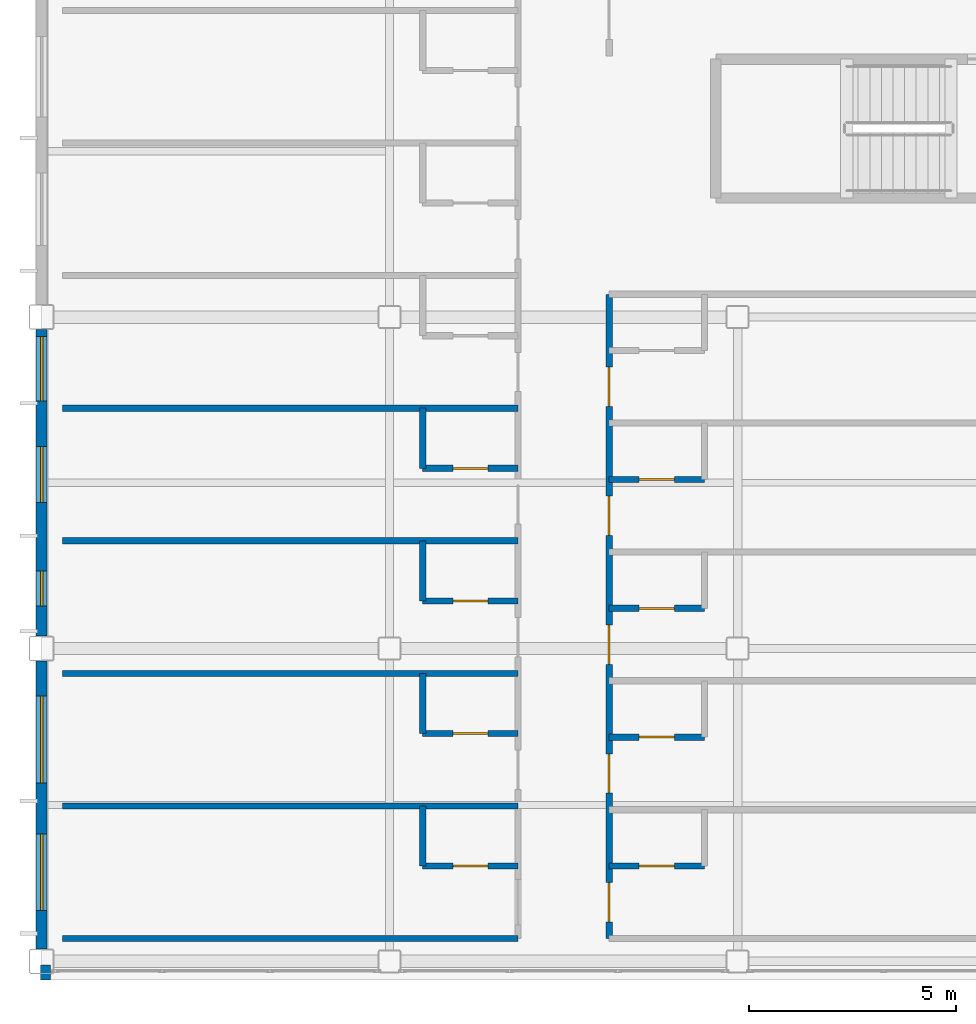
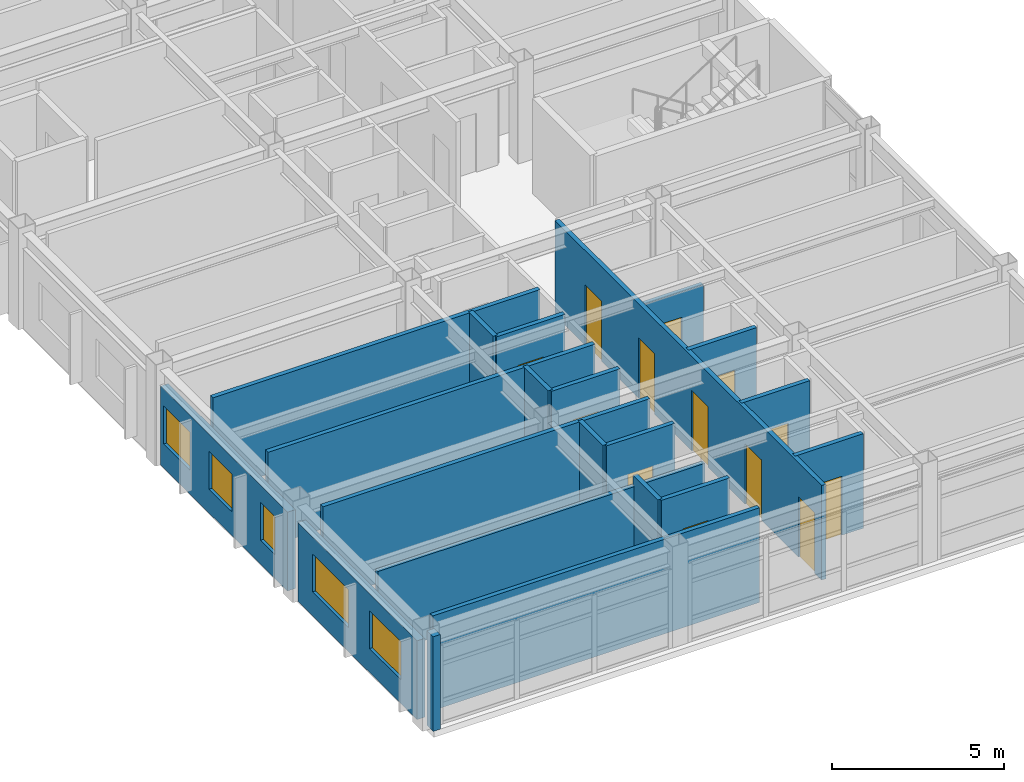
# One storey, part 23 of 38: 21 walls, 13 doors, 5 windows, 18 openings.
"""IFC4 building model written with IfcOpenShell, lengths in metres."""

from ifc_helpers import new_model, si_unit, direction, frame, frame_2d, origin, place, context, subcontext, project, spatial, rectangle, extrude, material, layer, layer_set, type_object, element, fill, save


model = new_model("IFC4")

# Units and contexts
model_context = context("Model", 3, precision=1e-05, world=origin(), true_north=direction((0.0, 1.0)))
body_context = subcontext(model_context, "Body", "Model", "MODEL_VIEW")
ifc_project = project(units=[si_unit("LENGTHUNIT", "METRE"), si_unit("AREAUNIT", "SQUARE_METRE"), si_unit("VOLUMEUNIT", "CUBIC_METRE"), si_unit("PLANEANGLEUNIT", "RADIAN"), si_unit("MASSUNIT", "GRAM", prefix="KILO")], contexts=[model_context])

# Site, building, storey
site_placement = place(None, origin())
site = spatial("IfcSite", under=ifc_project, at=site_placement, CompositionType="ELEMENT")
building_placement = place(site_placement, origin())
building = spatial("IfcBuilding", under=site, at=building_placement, Name="Kazehara Bluff Congress Hotel", CompositionType="ELEMENT")
storey_placement = place(building_placement, frame((0.0, 0.0, 24.60009765625)))
storey = spatial("IfcBuildingStorey", under=building, at=storey_placement, Name="L05", CompositionType="ELEMENT", Elevation=24.60009765625)

# Wall
ifc_material_1 = material(Name="Precast concrete C40/50", Category="concrete")
ifc_layer_1 = layer(ifc_material_1, 0.239990234375)
ifc_layer_set_1 = layer_set([ifc_layer_1], Name="Precast concrete C40/50")
wall_type_1 = type_object("IfcWallType", Name="TP-EW-240", PredefinedType="SOLIDWALL", material=ifc_layer_set_1)
wall_1_placement = place(storey_placement, frame((143.800048828125, 0.0, 0.0), z_axis=(0.0, 0.0, 1.0), x_axis=(0.0, 1.0, 0.0)))
element("IfcWall", 1, at=wall_1_placement, inside=storey, type_object=wall_type_1, Name="L05 V5 perimeter spandrel pier 736", PredefinedType="SOLIDWALL", context=body_context, shape_type="SweptSolid", body=[
    extrude(rectangle(XDim=0.360107421875, YDim=0.239990234375, at=frame_2d((0.18017578125, 0.0))), origin(), (0.0, 0.0, 1.0), 3.364990234375),
])

# Wall, openings, windows
ifc_material_2 = material(Name="Precast concrete C40/50", Category="concrete")
ifc_layer_2 = layer(ifc_material_2, 0.260009765625)
ifc_layer_set_2 = layer_set([ifc_layer_2], Name="Precast concrete C40/50")
wall_type_2 = type_object("IfcWallType", Name="TP-EW-260", PredefinedType="SOLIDWALL", material=ifc_layer_set_2)
wall_2_placement = place(storey_placement, frame((143.699951171875, 0.75, 0.0), z_axis=(0.0, 0.0, 1.0), x_axis=(0.0, 1.0, 0.0)))
wall_2 = element("IfcWall", 2, at=wall_2_placement, inside=storey, type_object=wall_type_2, Name="L05 hotel facade panel 54", PredefinedType="SOLIDWALL", context=body_context, shape_type="SweptSolid", body=[
    extrude(rectangle(XDim=6.949951171875, YDim=0.260009765625, at=frame_2d((3.47509765625, 0.0))), origin(), (0.0, 0.0, 1.0), 2.804931640625),
])
opening_1_placement = place(wall_2_placement, frame((0.925048828125, 0.0, 0.85009765625)))
opening_1 = element("IfcOpeningElement", 3, at=opening_1_placement, cuts=wall_2, Name="Opening WN-36", PredefinedType="OPENING", context=body_context, shape_type="SweptSolid", body=[
    extrude(rectangle(XDim=1.85009765625, YDim=1.35009765625, at=frame_2d((0.925048828125, 0.675048828125))), frame((0.0, 0.139892578125, 0.0), z_axis=(0.0, -1.0, 0.0), x_axis=(1.0, 0.0, 0.0)), (0.0, 0.0, 1.0), 0.280029296875),
])
opening_2_placement = place(wall_2_placement, frame((4.0, 0.0, 0.85009765625)))
opening_2 = element("IfcOpeningElement", 4, at=opening_2_placement, cuts=wall_2, Name="Opening WN-46", PredefinedType="OPENING", context=body_context, shape_type="SweptSolid", body=[
    extrude(rectangle(XDim=2.10009765625, YDim=1.35009765625, at=frame_2d((1.050048828125, 0.675048828125))), frame((0.0, 0.139892578125, 0.0), z_axis=(0.0, -1.0, 0.0), x_axis=(1.0, 0.0, 0.0)), (0.0, 0.0, 1.0), 0.280029296875),
])
ifc_material_3 = material(Name="Insulated low-E double glazing", Category="glass")
window_type_1 = type_object("IfcWindowType", Name="TP-WN-36", PartitioningType="DOUBLE_PANEL_VERTICAL", PredefinedType="WINDOW", material=ifc_material_3)
window_1_placement = place(opening_1_placement, origin())
window_1 = element("IfcWindow", 5, at=window_1_placement, inside=storey, type_object=window_type_1, Name="L05 guestroom window WN-36 94", OverallHeight=1.35009765625, OverallWidth=1.85009765625, PartitioningType="SINGLE_PANEL", PredefinedType="WINDOW", context=body_context, shape_type="SweptSolid", body=[
    extrude(rectangle(XDim=1.85009765625, YDim=1.35009765625, at=frame_2d((0.925048828125, 0.675048828125))), frame((0.0, 0.030029296875, 0.0), z_axis=(0.0, -1.0, 0.0), x_axis=(1.0, 0.0, 0.0)), (0.0, 0.0, 1.0), 0.06005859375),
])
fill(opening_1, window_1)
ifc_material_4 = material(Name="Insulated low-E double glazing", Category="glass")
window_type_2 = type_object("IfcWindowType", Name="TP-WN-46", PartitioningType="DOUBLE_PANEL_VERTICAL", PredefinedType="WINDOW", material=ifc_material_4)
window_2_placement = place(opening_2_placement, origin())
window_2 = element("IfcWindow", 6, at=window_2_placement, inside=storey, type_object=window_type_2, Name="L05 guestroom window WN-46 95", OverallHeight=1.35009765625, OverallWidth=2.10009765625, PartitioningType="SINGLE_PANEL", PredefinedType="WINDOW", context=body_context, shape_type="SweptSolid", body=[
    extrude(rectangle(XDim=2.10009765625, YDim=1.35009765625, at=frame_2d((1.050048828125, 0.675048828125))), frame((0.0, 0.030029296875, 0.0), z_axis=(0.0, -1.0, 0.0), x_axis=(1.0, 0.0, 0.0)), (0.0, 0.0, 1.0), 0.06005859375),
])
fill(opening_2, window_2)

wall_3_placement = place(storey_placement, frame((143.699951171875, 8.300048828125, 0.0), z_axis=(0.0, 0.0, 1.0), x_axis=(0.0, 1.0, 0.0)))
wall_3 = element("IfcWall", 7, at=wall_3_placement, inside=storey, type_object=wall_type_2, Name="L05 hotel facade panel 55", PredefinedType="SOLIDWALL", context=body_context, shape_type="SweptSolid", body=[
    extrude(rectangle(XDim=7.39990234375, YDim=0.260009765625, at=frame_2d((3.699951171875, 0.0))), origin(), (0.0, 0.0, 1.0), 2.804931640625),
])
opening_3_placement = place(wall_3_placement, frame((0.72509765625, 0.0, 0.85009765625)))
opening_3 = element("IfcOpeningElement", 8, at=opening_3_placement, cuts=wall_3, Name="Opening WN-55", PredefinedType="OPENING", context=body_context, shape_type="SweptSolid", body=[
    extrude(rectangle(XDim=0.85009765625, YDim=1.35009765625, at=frame_2d((0.425048828125, 0.675048828125))), frame((0.0, 0.139892578125, 0.0), z_axis=(0.0, -1.0, 0.0), x_axis=(1.0, 0.0, 0.0)), (0.0, 0.0, 1.0), 0.280029296875),
])
opening_4_placement = place(wall_3_placement, frame((3.22509765625, 0.0, 0.85009765625)))
opening_4 = element("IfcOpeningElement", 9, at=opening_4_placement, cuts=wall_3, Name="Opening WN-11", PredefinedType="OPENING", context=body_context, shape_type="SweptSolid", body=[
    extrude(rectangle(XDim=1.35009765625, YDim=1.35009765625, at=frame_2d((0.675048828125, 0.675048828125))), frame((0.0, 0.139892578125, 0.0), z_axis=(0.0, -1.0, 0.0), x_axis=(1.0, 0.0, 0.0)), (0.0, 0.0, 1.0), 0.280029296875),
])
opening_5_placement = place(wall_3_placement, frame((5.675048828125, 0.0, 0.85009765625)))
opening_5 = element("IfcOpeningElement", 10, at=opening_5_placement, cuts=wall_3, Name="Opening WN-21", PredefinedType="OPENING", context=body_context, shape_type="SweptSolid", body=[
    extrude(rectangle(XDim=1.550048828125, YDim=1.35009765625, at=frame_2d((0.77490234375, 0.675048828125))), frame((0.0, 0.139892578125, 0.0), z_axis=(0.0, -1.0, 0.0), x_axis=(1.0, 0.0, 0.0)), (0.0, 0.0, 1.0), 0.280029296875),
])
ifc_material_5 = material(Name="Insulated low-E double glazing", Category="glass")
window_type_3 = type_object("IfcWindowType", Name="TP-WN-11", PartitioningType="SINGLE_PANEL", PredefinedType="WINDOW", material=ifc_material_5)
window_3_placement = place(opening_4_placement, origin())
window_3 = element("IfcWindow", 11, at=window_3_placement, inside=storey, type_object=window_type_3, Name="L05 guestroom window WN-11 97", OverallHeight=1.35009765625, OverallWidth=1.35009765625, PartitioningType="SINGLE_PANEL", PredefinedType="WINDOW", context=body_context, shape_type="SweptSolid", body=[
    extrude(rectangle(XDim=1.35009765625, YDim=1.35009765625, at=frame_2d((0.675048828125, 0.675048828125))), frame((0.0, 0.030029296875, 0.0), z_axis=(0.0, -1.0, 0.0), x_axis=(1.0, 0.0, 0.0)), (0.0, 0.0, 1.0), 0.06005859375),
])
fill(opening_4, window_3)
ifc_material_6 = material(Name="Insulated low-E double glazing", Category="glass")
window_type_4 = type_object("IfcWindowType", Name="TP-WN-21", PartitioningType="SINGLE_PANEL", PredefinedType="WINDOW", material=ifc_material_6)
window_4_placement = place(opening_5_placement, origin())
window_4 = element("IfcWindow", 12, at=window_4_placement, inside=storey, type_object=window_type_4, Name="L05 guestroom window WN-21 98", OverallHeight=1.35009765625, OverallWidth=1.550048828125, PartitioningType="SINGLE_PANEL", PredefinedType="WINDOW", context=body_context, shape_type="SweptSolid", body=[
    extrude(rectangle(XDim=1.550048828125, YDim=1.35009765625, at=frame_2d((0.77490234375, 0.675048828125))), frame((0.0, 0.030029296875, 0.0), z_axis=(0.0, -1.0, 0.0), x_axis=(1.0, 0.0, 0.0)), (0.0, 0.0, 1.0), 0.06005859375),
])
fill(opening_5, window_4)
ifc_material_7 = material(Name="Insulated low-E double glazing", Category="glass")
window_type_5 = type_object("IfcWindowType", Name="TP-WN-55", PartitioningType="SINGLE_PANEL", PredefinedType="WINDOW", material=ifc_material_7)
window_5_placement = place(opening_3_placement, origin())
window_5 = element("IfcWindow", 13, at=window_5_placement, inside=storey, type_object=window_type_5, Name="L05 guestroom window WN-55 96", OverallHeight=1.35009765625, OverallWidth=0.85009765625, PartitioningType="SINGLE_PANEL", PredefinedType="WINDOW", context=body_context, shape_type="SweptSolid", body=[
    extrude(rectangle(XDim=0.85009765625, YDim=1.35009765625, at=frame_2d((0.425048828125, 0.675048828125))), frame((0.0, 0.030029296875, 0.0), z_axis=(0.0, -1.0, 0.0), x_axis=(1.0, 0.0, 0.0)), (0.0, 0.0, 1.0), 0.06005859375),
])
fill(opening_3, window_5)

# Wall
ifc_material_8 = material(Name="Fire-rated gypsum board stud partition")
ifc_layer_3 = layer(ifc_material_8, 0.14990234375)
ifc_layer_set_3 = layer_set([ifc_layer_3], Name="Fire-rated gypsum board stud partition")
wall_type_3 = type_object("IfcWallType", Name="TP-PT-150", PredefinedType="PARTITIONING", material=ifc_layer_set_3)
wall_4_placement = place(storey_placement, frame((144.199951171875, 1.0, 0.0), z_axis=(0.0, 0.0, 1.0), x_axis=(1.0, 0.0, 0.0)))
element("IfcWall", 14, at=wall_4_placement, inside=storey, type_object=wall_type_3, Name="L05 partition PT-150 505", PredefinedType="PARTITIONING", context=body_context, shape_type="SweptSolid", body=[
    extrude(rectangle(XDim=11.0, YDim=0.14990234375, at=frame_2d((5.5, 0.0))), origin(), (0.0, 0.0, 1.0), 3.364990234375),
])

# Wall, opening, door
wall_5_placement = place(storey_placement, frame((152.89990234375, 2.75, 0.0), z_axis=(0.0, 0.0, 1.0), x_axis=(1.0, 0.0, 0.0)))
wall_5 = element("IfcWall", 15, at=wall_5_placement, inside=storey, type_object=wall_type_3, Name="L05 partition PT-150 507", PredefinedType="PARTITIONING", context=body_context, shape_type="SweptSolid", body=[
    extrude(rectangle(XDim=2.300048828125, YDim=0.14990234375, at=frame_2d((1.14990234375, 0.0))), origin(), (0.0, 0.0, 1.0), 3.364990234375),
])
opening_6_placement = place(wall_5_placement, frame((0.72509765625, 0.0, 0.0)))
opening_6 = element("IfcOpeningElement", 16, at=opening_6_placement, cuts=wall_5, Name="Opening BD-01", PredefinedType="OPENING", context=body_context, shape_type="SweptSolid", body=[
    extrude(rectangle(XDim=0.85009765625, YDim=2.10009765625, at=frame_2d((0.425048828125, 1.050048828125))), frame((0.0, 0.0849609375, 0.0), z_axis=(0.0, -1.0, 0.0), x_axis=(1.0, 0.0, 0.0)), (0.0, 0.0, 1.0), 0.169921875),
])
ifc_material_9 = material(Name="Architectural oak veneer leaf")
door_type_1 = type_object("IfcDoorType", Name="TP-BD-01", OperationType="NOTDEFINED", PredefinedType="DOOR", material=ifc_material_9)
door_1_placement = place(opening_6_placement, origin())
door_1 = element("IfcDoor", 17, at=door_1_placement, inside=storey, type_object=door_type_1, Name="L05 En-suite Bathroom 67 door", OperationType="SINGLE_SWING_RIGHT", OverallHeight=2.10009765625, OverallWidth=0.85009765625, PredefinedType="DOOR", context=body_context, shape_type="SweptSolid", body=[
    extrude(rectangle(XDim=0.85009765625, YDim=2.10009765625, at=frame_2d((0.425048828125, 1.050048828125))), frame((0.0, 0.02490234375, 0.0), z_axis=(0.0, -1.0, 0.0), x_axis=(1.0, 0.0, 0.0)), (0.0, 0.0, 1.0), 0.050048828125),
])
fill(opening_6, door_1)

wall_6_placement = place(storey_placement, frame((157.39990234375, 2.75, 0.0), z_axis=(0.0, 0.0, 1.0), x_axis=(1.0, 0.0, 0.0)))
wall_6 = element("IfcWall", 18, at=wall_6_placement, inside=storey, type_object=wall_type_3, Name="L05 partition PT-150 508", PredefinedType="PARTITIONING", context=body_context, shape_type="SweptSolid", body=[
    extrude(rectangle(XDim=2.300048828125, YDim=0.14990234375, at=frame_2d((1.14990234375, 0.0))), origin(), (0.0, 0.0, 1.0), 3.364990234375),
])
opening_7_placement = place(wall_6_placement, frame((0.72509765625, 0.0, 0.0)))
opening_7 = element("IfcOpeningElement", 19, at=opening_7_placement, cuts=wall_6, Name="Opening BD-01", PredefinedType="OPENING", context=body_context, shape_type="SweptSolid", body=[
    extrude(rectangle(XDim=0.85009765625, YDim=2.10009765625, at=frame_2d((0.425048828125, 1.050048828125))), frame((0.0, 0.0849609375, 0.0), z_axis=(0.0, -1.0, 0.0), x_axis=(1.0, 0.0, 0.0)), (0.0, 0.0, 1.0), 0.169921875),
])
door_2_placement = place(opening_7_placement, origin())
door_2 = element("IfcDoor", 20, at=door_2_placement, inside=storey, type_object=door_type_1, Name="L05 En-suite Bathroom 92 door", OperationType="SINGLE_SWING_RIGHT", OverallHeight=2.10009765625, OverallWidth=0.85009765625, PredefinedType="DOOR", context=body_context, shape_type="SweptSolid", body=[
    extrude(rectangle(XDim=0.85009765625, YDim=2.10009765625, at=frame_2d((0.425048828125, 1.050048828125))), frame((0.0, 0.02490234375, 0.0), z_axis=(0.0, -1.0, 0.0), x_axis=(1.0, 0.0, 0.0)), (0.0, 0.0, 1.0), 0.050048828125),
])
fill(opening_7, door_2)

# Wall
wall_7_placement = place(storey_placement, frame((144.199951171875, 4.199951171875, 0.0), z_axis=(0.0, 0.0, 1.0), x_axis=(1.0, 0.0, 0.0)))
element("IfcWall", 21, at=wall_7_placement, inside=storey, type_object=wall_type_3, Name="L05 partition PT-150 510", PredefinedType="PARTITIONING", context=body_context, shape_type="SweptSolid", body=[
    extrude(rectangle(XDim=11.0, YDim=0.14990234375, at=frame_2d((5.5, 0.0))), origin(), (0.0, 0.0, 1.0), 3.0048828125),
])

# Wall, opening, door
wall_8_placement = place(storey_placement, frame((157.39990234375, 5.860107421875, 0.0), z_axis=(0.0, 0.0, 1.0), x_axis=(1.0, 0.0, 0.0)))
wall_8 = element("IfcWall", 22, at=wall_8_placement, inside=storey, type_object=wall_type_3, Name="L05 partition PT-150 511", PredefinedType="PARTITIONING", context=body_context, shape_type="SweptSolid", body=[
    extrude(rectangle(XDim=2.300048828125, YDim=0.14990234375, at=frame_2d((1.14990234375, 0.0))), origin(), (0.0, 0.0, 1.0), 3.364990234375),
])
opening_8_placement = place(wall_8_placement, frame((0.72509765625, 0.0, 0.0)))
opening_8 = element("IfcOpeningElement", 23, at=opening_8_placement, cuts=wall_8, Name="Opening BD-01", PredefinedType="OPENING", context=body_context, shape_type="SweptSolid", body=[
    extrude(rectangle(XDim=0.85009765625, YDim=2.10009765625, at=frame_2d((0.425048828125, 1.050048828125))), frame((0.0, 0.0849609375, 0.0), z_axis=(0.0, -1.0, 0.0), x_axis=(1.0, 0.0, 0.0)), (0.0, 0.0, 1.0), 0.169921875),
])
door_3_placement = place(opening_8_placement, origin())
door_3 = element("IfcDoor", 24, at=door_3_placement, inside=storey, type_object=door_type_1, Name="L05 En-suite Bathroom 93 door", OperationType="SINGLE_SWING_RIGHT", OverallHeight=2.10009765625, OverallWidth=0.85009765625, PredefinedType="DOOR", context=body_context, shape_type="SweptSolid", body=[
    extrude(rectangle(XDim=0.85009765625, YDim=2.10009765625, at=frame_2d((0.425048828125, 1.050048828125))), frame((0.0, 0.02490234375, 0.0), z_axis=(0.0, -1.0, 0.0), x_axis=(1.0, 0.0, 0.0)), (0.0, 0.0, 1.0), 0.050048828125),
])
fill(opening_8, door_3)

wall_9_placement = place(storey_placement, frame((152.89990234375, 5.949951171875, 0.0), z_axis=(0.0, 0.0, 1.0), x_axis=(1.0, 0.0, 0.0)))
wall_9 = element("IfcWall", 25, at=wall_9_placement, inside=storey, type_object=wall_type_3, Name="L05 partition PT-150 512", PredefinedType="PARTITIONING", context=body_context, shape_type="SweptSolid", body=[
    extrude(rectangle(XDim=2.300048828125, YDim=0.14990234375, at=frame_2d((1.14990234375, 0.0))), origin(), (0.0, 0.0, 1.0), 3.364990234375),
])
opening_9_placement = place(wall_9_placement, frame((0.72509765625, 0.0, 0.0)))
opening_9 = element("IfcOpeningElement", 26, at=opening_9_placement, cuts=wall_9, Name="Opening BD-01", PredefinedType="OPENING", context=body_context, shape_type="SweptSolid", body=[
    extrude(rectangle(XDim=0.85009765625, YDim=2.10009765625, at=frame_2d((0.425048828125, 1.050048828125))), frame((0.0, 0.0849609375, 0.0), z_axis=(0.0, -1.0, 0.0), x_axis=(1.0, 0.0, 0.0)), (0.0, 0.0, 1.0), 0.169921875),
])
door_4_placement = place(opening_9_placement, origin())
door_4 = element("IfcDoor", 27, at=door_4_placement, inside=storey, type_object=door_type_1, Name="L05 En-suite Bathroom 68 door", OperationType="SINGLE_SWING_RIGHT", OverallHeight=2.10009765625, OverallWidth=0.85009765625, PredefinedType="DOOR", context=body_context, shape_type="SweptSolid", body=[
    extrude(rectangle(XDim=0.85009765625, YDim=2.10009765625, at=frame_2d((0.425048828125, 1.050048828125))), frame((0.0, 0.02490234375, 0.0), z_axis=(0.0, -1.0, 0.0), x_axis=(1.0, 0.0, 0.0)), (0.0, 0.0, 1.0), 0.050048828125),
])
fill(opening_9, door_4)

# Wall
wall_10_placement = place(storey_placement, frame((144.199951171875, 7.39990234375, 0.0), z_axis=(0.0, 0.0, 1.0), x_axis=(1.0, 0.0, 0.0)))
element("IfcWall", 28, at=wall_10_placement, inside=storey, type_object=wall_type_3, Name="L05 partition PT-150 514", PredefinedType="PARTITIONING", context=body_context, shape_type="SweptSolid", body=[
    extrude(rectangle(XDim=11.0, YDim=0.14990234375, at=frame_2d((5.5, 0.0))), origin(), (0.0, 0.0, 1.0), 3.364990234375),
])

# Wall, opening, door
wall_11_placement = place(storey_placement, frame((157.39990234375, 8.969970703125, 0.0), z_axis=(0.0, 0.0, 1.0), x_axis=(1.0, 0.0, 0.0)))
wall_11 = element("IfcWall", 29, at=wall_11_placement, inside=storey, type_object=wall_type_3, Name="L05 partition PT-150 515", PredefinedType="PARTITIONING", context=body_context, shape_type="SweptSolid", body=[
    extrude(rectangle(XDim=2.300048828125, YDim=0.14990234375, at=frame_2d((1.14990234375, 0.0))), origin(), (0.0, 0.0, 1.0), 3.364990234375),
])
opening_10_placement = place(wall_11_placement, frame((0.72509765625, 0.0, 0.0)))
opening_10 = element("IfcOpeningElement", 30, at=opening_10_placement, cuts=wall_11, Name="Opening BD-01", PredefinedType="OPENING", context=body_context, shape_type="SweptSolid", body=[
    extrude(rectangle(XDim=0.85009765625, YDim=2.10009765625, at=frame_2d((0.425048828125, 1.050048828125))), frame((0.0, 0.0849609375, 0.0), z_axis=(0.0, -1.0, 0.0), x_axis=(1.0, 0.0, 0.0)), (0.0, 0.0, 1.0), 0.169921875),
])
door_5_placement = place(opening_10_placement, origin())
door_5 = element("IfcDoor", 31, at=door_5_placement, inside=storey, type_object=door_type_1, Name="L05 En-suite Bathroom 94 door", OperationType="SINGLE_SWING_RIGHT", OverallHeight=2.10009765625, OverallWidth=0.85009765625, PredefinedType="DOOR", context=body_context, shape_type="SweptSolid", body=[
    extrude(rectangle(XDim=0.85009765625, YDim=2.10009765625, at=frame_2d((0.425048828125, 1.050048828125))), frame((0.0, 0.02490234375, 0.0), z_axis=(0.0, -1.0, 0.0), x_axis=(1.0, 0.0, 0.0)), (0.0, 0.0, 1.0), 0.050048828125),
])
fill(opening_10, door_5)

wall_12_placement = place(storey_placement, frame((152.89990234375, 9.14990234375, 0.0), z_axis=(0.0, 0.0, 1.0), x_axis=(1.0, 0.0, 0.0)))
wall_12 = element("IfcWall", 32, at=wall_12_placement, inside=storey, type_object=wall_type_3, Name="L05 partition PT-150 516", PredefinedType="PARTITIONING", context=body_context, shape_type="SweptSolid", body=[
    extrude(rectangle(XDim=2.300048828125, YDim=0.14990234375, at=frame_2d((1.14990234375, 0.0))), origin(), (0.0, 0.0, 1.0), 3.364990234375),
])
opening_11_placement = place(wall_12_placement, frame((0.72509765625, 0.0, 0.0)))
opening_11 = element("IfcOpeningElement", 33, at=opening_11_placement, cuts=wall_12, Name="Opening BD-01", PredefinedType="OPENING", context=body_context, shape_type="SweptSolid", body=[
    extrude(rectangle(XDim=0.85009765625, YDim=2.10009765625, at=frame_2d((0.425048828125, 1.050048828125))), frame((0.0, 0.0849609375, 0.0), z_axis=(0.0, -1.0, 0.0), x_axis=(1.0, 0.0, 0.0)), (0.0, 0.0, 1.0), 0.169921875),
])
door_6_placement = place(opening_11_placement, origin())
door_6 = element("IfcDoor", 34, at=door_6_placement, inside=storey, type_object=door_type_1, Name="L05 En-suite Bathroom 69 door", OperationType="SINGLE_SWING_RIGHT", OverallHeight=2.10009765625, OverallWidth=0.85009765625, PredefinedType="DOOR", context=body_context, shape_type="SweptSolid", body=[
    extrude(rectangle(XDim=0.85009765625, YDim=2.10009765625, at=frame_2d((0.425048828125, 1.050048828125))), frame((0.0, 0.02490234375, 0.0), z_axis=(0.0, -1.0, 0.0), x_axis=(1.0, 0.0, 0.0)), (0.0, 0.0, 1.0), 0.050048828125),
])
fill(opening_11, door_6)

# Wall
wall_13_placement = place(storey_placement, frame((144.199951171875, 10.60009765625, 0.0), z_axis=(0.0, 0.0, 1.0), x_axis=(1.0, 0.0, 0.0)))
element("IfcWall", 35, at=wall_13_placement, inside=storey, type_object=wall_type_3, Name="L05 partition PT-150 518", PredefinedType="PARTITIONING", context=body_context, shape_type="SweptSolid", body=[
    extrude(rectangle(XDim=11.0, YDim=0.14990234375, at=frame_2d((5.5, 0.0))), origin(), (0.0, 0.0, 1.0), 3.364990234375),
])

# Wall, opening, door
wall_14_placement = place(storey_placement, frame((157.39990234375, 12.080078125, 0.0), z_axis=(0.0, 0.0, 1.0), x_axis=(1.0, 0.0, 0.0)))
wall_14 = element("IfcWall", 36, at=wall_14_placement, inside=storey, type_object=wall_type_3, Name="L05 partition PT-150 519", PredefinedType="PARTITIONING", context=body_context, shape_type="SweptSolid", body=[
    extrude(rectangle(XDim=2.300048828125, YDim=0.14990234375, at=frame_2d((1.14990234375, 0.0))), origin(), (0.0, 0.0, 1.0), 3.0048828125),
])
opening_12_placement = place(wall_14_placement, frame((0.72509765625, 0.0, 0.0)))
opening_12 = element("IfcOpeningElement", 37, at=opening_12_placement, cuts=wall_14, Name="Opening BD-01", PredefinedType="OPENING", context=body_context, shape_type="SweptSolid", body=[
    extrude(rectangle(XDim=0.85009765625, YDim=2.10009765625, at=frame_2d((0.425048828125, 1.050048828125))), frame((0.0, 0.0849609375, 0.0), z_axis=(0.0, -1.0, 0.0), x_axis=(1.0, 0.0, 0.0)), (0.0, 0.0, 1.0), 0.169921875),
])
door_7_placement = place(opening_12_placement, origin())
door_7 = element("IfcDoor", 38, at=door_7_placement, inside=storey, type_object=door_type_1, Name="L05 En-suite Bathroom 95 door", OperationType="SINGLE_SWING_RIGHT", OverallHeight=2.10009765625, OverallWidth=0.85009765625, PredefinedType="DOOR", context=body_context, shape_type="SweptSolid", body=[
    extrude(rectangle(XDim=0.85009765625, YDim=2.10009765625, at=frame_2d((0.425048828125, 1.050048828125))), frame((0.0, 0.02490234375, 0.0), z_axis=(0.0, -1.0, 0.0), x_axis=(1.0, 0.0, 0.0)), (0.0, 0.0, 1.0), 0.050048828125),
])
fill(opening_12, door_7)

wall_15_placement = place(storey_placement, frame((152.89990234375, 12.35009765625, 0.0), z_axis=(0.0, 0.0, 1.0), x_axis=(1.0, 0.0, 0.0)))
wall_15 = element("IfcWall", 39, at=wall_15_placement, inside=storey, type_object=wall_type_3, Name="L05 partition PT-150 520", PredefinedType="PARTITIONING", context=body_context, shape_type="SweptSolid", body=[
    extrude(rectangle(XDim=2.300048828125, YDim=0.14990234375, at=frame_2d((1.14990234375, 0.0))), origin(), (0.0, 0.0, 1.0), 3.364990234375),
])
opening_13_placement = place(wall_15_placement, frame((0.72509765625, 0.0, 0.0)))
opening_13 = element("IfcOpeningElement", 40, at=opening_13_placement, cuts=wall_15, Name="Opening BD-01", PredefinedType="OPENING", context=body_context, shape_type="SweptSolid", body=[
    extrude(rectangle(XDim=0.85009765625, YDim=2.10009765625, at=frame_2d((0.425048828125, 1.050048828125))), frame((0.0, 0.0849609375, 0.0), z_axis=(0.0, -1.0, 0.0), x_axis=(1.0, 0.0, 0.0)), (0.0, 0.0, 1.0), 0.169921875),
])
door_8_placement = place(opening_13_placement, origin())
door_8 = element("IfcDoor", 41, at=door_8_placement, inside=storey, type_object=door_type_1, Name="L05 En-suite Bathroom 70 door", OperationType="SINGLE_SWING_RIGHT", OverallHeight=2.10009765625, OverallWidth=0.85009765625, PredefinedType="DOOR", context=body_context, shape_type="SweptSolid", body=[
    extrude(rectangle(XDim=0.85009765625, YDim=2.10009765625, at=frame_2d((0.425048828125, 1.050048828125))), frame((0.0, 0.02490234375, 0.0), z_axis=(0.0, -1.0, 0.0), x_axis=(1.0, 0.0, 0.0)), (0.0, 0.0, 1.0), 0.050048828125),
])
fill(opening_13, door_8)

# Walls
wall_16_placement = place(storey_placement, frame((144.199951171875, 13.800048828125, 0.0), z_axis=(0.0, 0.0, 1.0), x_axis=(1.0, 0.0, 0.0)))
element("IfcWall", 42, at=wall_16_placement, inside=storey, type_object=wall_type_3, Name="L05 partition PT-150 522", PredefinedType="PARTITIONING", context=body_context, shape_type="SweptSolid", body=[
    extrude(rectangle(XDim=11.0, YDim=0.14990234375, at=frame_2d((5.5, 0.0))), origin(), (0.0, 0.0, 1.0), 3.364990234375),
])
for number, where, z_axis, x_axis, name in (
    (43, (152.89990234375, 2.75, 0.0), (0.0, 0.0, 1.0), (0.0, 1.0, 0.0), "L05 partition PT-150 625"),
    (44, (152.89990234375, 5.949951171875, 0.0), (0.0, 0.0, 1.0), (0.0, 1.0, 0.0), "L05 partition PT-150 626"),
):
    element("IfcWall", number, at=place(storey_placement, frame(where, z_axis=z_axis, x_axis=x_axis)), inside=storey, type_object=wall_type_3, Name=name, PredefinedType="PARTITIONING", context=body_context, shape_type="SweptSolid", body=[
        extrude(rectangle(XDim=1.449951171875, YDim=0.14990234375, at=frame_2d((0.72509765625, 0.0))), origin(), (0.0, 0.0, 1.0), 3.364990234375),
    ])
wall_17_placement = place(storey_placement, frame((152.89990234375, 9.14990234375, 0.0), z_axis=(0.0, 0.0, 1.0), x_axis=(0.0, 1.0, 0.0)))
element("IfcWall", 45, at=wall_17_placement, inside=storey, type_object=wall_type_3, Name="L05 partition PT-150 627", PredefinedType="PARTITIONING", context=body_context, shape_type="SweptSolid", body=[
    extrude(rectangle(XDim=1.4501953125, YDim=0.14990234375, at=frame_2d((0.72509765625, 0.0))), origin(), (0.0, 0.0, 1.0), 3.364990234375),
])
wall_18_placement = place(storey_placement, frame((152.89990234375, 12.35009765625, 0.0), z_axis=(0.0, 0.0, 1.0), x_axis=(0.0, 1.0, 0.0)))
element("IfcWall", 46, at=wall_18_placement, inside=storey, type_object=wall_type_3, Name="L05 partition PT-150 628", PredefinedType="PARTITIONING", context=body_context, shape_type="SweptSolid", body=[
    extrude(rectangle(XDim=1.449951171875, YDim=0.14990234375, at=frame_2d((0.72509765625, 0.0))), origin(), (0.0, 0.0, 1.0), 3.364990234375),
])

# Wall, openings, doors
wall_19_placement = place(storey_placement, frame((157.39990234375, 1.0, 0.0), z_axis=(0.0, 0.0, 1.0), x_axis=(0.0, 1.0, 0.0)))
wall_19 = element("IfcWall", 47, at=wall_19_placement, inside=storey, type_object=wall_type_3, Name="L05 partition PT-150 657", PredefinedType="PARTITIONING", context=body_context, shape_type="SweptSolid", body=[
    extrude(rectangle(XDim=15.550048828125, YDim=0.14990234375, at=frame_2d((7.77490234375, 0.0))), origin(), (0.0, 0.0, 1.0), 3.364990234375),
])
opening_14_placement = place(wall_19_placement, frame((0.39990234375, 0.0, 0.0)))
opening_14 = element("IfcOpeningElement", 48, at=opening_14_placement, cuts=wall_19, Name="Opening GD-01", PredefinedType="OPENING", context=body_context, shape_type="SweptSolid", body=[
    extrude(rectangle(XDim=0.949951171875, YDim=2.14990234375, at=frame_2d((0.47509765625, 1.074951171875))), frame((0.0, 0.0849609375, 0.0), z_axis=(0.0, -1.0, 0.0), x_axis=(1.0, 0.0, 0.0)), (0.0, 0.0, 1.0), 0.169921875),
])
opening_15_placement = place(wall_19_placement, frame((3.510009765625, 0.0, 0.0)))
opening_15 = element("IfcOpeningElement", 49, at=opening_15_placement, cuts=wall_19, Name="Opening GD-01", PredefinedType="OPENING", context=body_context, shape_type="SweptSolid", body=[
    extrude(rectangle(XDim=0.949951171875, YDim=2.14990234375, at=frame_2d((0.47509765625, 1.074951171875))), frame((0.0, 0.0849609375, 0.0), z_axis=(0.0, -1.0, 0.0), x_axis=(1.0, 0.0, 0.0)), (0.0, 0.0, 1.0), 0.169921875),
])
opening_16_placement = place(wall_19_placement, frame((6.6201171875, 0.0, 0.0)))
opening_16 = element("IfcOpeningElement", 50, at=opening_16_placement, cuts=wall_19, Name="Opening GD-01", PredefinedType="OPENING", context=body_context, shape_type="SweptSolid", body=[
    extrude(rectangle(XDim=0.949951171875, YDim=2.14990234375, at=frame_2d((0.47509765625, 1.074951171875))), frame((0.0, 0.0849609375, 0.0), z_axis=(0.0, -1.0, 0.0), x_axis=(1.0, 0.0, 0.0)), (0.0, 0.0, 1.0), 0.169921875),
])
opening_17_placement = place(wall_19_placement, frame((9.72998046875, 0.0, 0.0)))
opening_17 = element("IfcOpeningElement", 51, at=opening_17_placement, cuts=wall_19, Name="Opening GD-01", PredefinedType="OPENING", context=body_context, shape_type="SweptSolid", body=[
    extrude(rectangle(XDim=0.949951171875, YDim=2.14990234375, at=frame_2d((0.47509765625, 1.074951171875))), frame((0.0, 0.0849609375, 0.0), z_axis=(0.0, -1.0, 0.0), x_axis=(1.0, 0.0, 0.0)), (0.0, 0.0, 1.0), 0.169921875),
])
opening_18_placement = place(wall_19_placement, frame((12.840087890625, 0.0, 0.0)))
opening_18 = element("IfcOpeningElement", 52, at=opening_18_placement, cuts=wall_19, Name="Opening GD-01", PredefinedType="OPENING", context=body_context, shape_type="SweptSolid", body=[
    extrude(rectangle(XDim=0.949951171875, YDim=2.14990234375, at=frame_2d((0.47509765625, 1.074951171875))), frame((0.0, 0.0849609375, 0.0), z_axis=(0.0, -1.0, 0.0), x_axis=(1.0, 0.0, 0.0)), (0.0, 0.0, 1.0), 0.169921875),
])
ifc_material_10 = material(Name="Architectural oak veneer leaf")
door_type_2 = type_object("IfcDoorType", Name="TP-GD-01", OperationType="NOTDEFINED", PredefinedType="DOOR", material=ifc_material_10)
door_9_placement = place(opening_14_placement, origin())
door_9 = element("IfcDoor", 53, at=door_9_placement, inside=storey, type_object=door_type_2, Name="L05 Deluxe Twin Guest Room 92 door", OperationType="SINGLE_SWING_LEFT", OverallHeight=2.14990234375, OverallWidth=0.949951171875, PredefinedType="DOOR", context=body_context, shape_type="SweptSolid", body=[
    extrude(rectangle(XDim=0.949951171875, YDim=2.14990234375, at=frame_2d((0.47509765625, 1.074951171875))), frame((0.0, 0.02490234375, 0.0), z_axis=(0.0, -1.0, 0.0), x_axis=(1.0, 0.0, 0.0)), (0.0, 0.0, 1.0), 0.050048828125),
])
fill(opening_14, door_9)
door_10_placement = place(opening_15_placement, origin())
door_10 = element("IfcDoor", 54, at=door_10_placement, inside=storey, type_object=door_type_2, Name="L05 Standard King Guest Room 93 door", OperationType="SINGLE_SWING_LEFT", OverallHeight=2.14990234375, OverallWidth=0.949951171875, PredefinedType="DOOR", context=body_context, shape_type="SweptSolid", body=[
    extrude(rectangle(XDim=0.949951171875, YDim=2.14990234375, at=frame_2d((0.47509765625, 1.074951171875))), frame((0.0, 0.02490234375, 0.0), z_axis=(0.0, -1.0, 0.0), x_axis=(1.0, 0.0, 0.0)), (0.0, 0.0, 1.0), 0.050048828125),
])
fill(opening_15, door_10)
door_11_placement = place(opening_16_placement, origin())
door_11 = element("IfcDoor", 55, at=door_11_placement, inside=storey, type_object=door_type_2, Name="L05 Deluxe Twin Guest Room 94 door", OperationType="SINGLE_SWING_LEFT", OverallHeight=2.14990234375, OverallWidth=0.949951171875, PredefinedType="DOOR", context=body_context, shape_type="SweptSolid", body=[
    extrude(rectangle(XDim=0.949951171875, YDim=2.14990234375, at=frame_2d((0.47509765625, 1.074951171875))), frame((0.0, 0.02490234375, 0.0), z_axis=(0.0, -1.0, 0.0), x_axis=(1.0, 0.0, 0.0)), (0.0, 0.0, 1.0), 0.050048828125),
])
fill(opening_16, door_11)
door_12_placement = place(opening_17_placement, origin())
door_12 = element("IfcDoor", 56, at=door_12_placement, inside=storey, type_object=door_type_2, Name="L05 Standard King Guest Room 95 door", OperationType="SINGLE_SWING_LEFT", OverallHeight=2.14990234375, OverallWidth=0.949951171875, PredefinedType="DOOR", context=body_context, shape_type="SweptSolid", body=[
    extrude(rectangle(XDim=0.949951171875, YDim=2.14990234375, at=frame_2d((0.47509765625, 1.074951171875))), frame((0.0, 0.02490234375, 0.0), z_axis=(0.0, -1.0, 0.0), x_axis=(1.0, 0.0, 0.0)), (0.0, 0.0, 1.0), 0.050048828125),
])
fill(opening_17, door_12)
door_13_placement = place(opening_18_placement, origin())
door_13 = element("IfcDoor", 57, at=door_13_placement, inside=storey, type_object=door_type_2, Name="L05 Deluxe Twin Guest Room 96 door", OperationType="SINGLE_SWING_LEFT", OverallHeight=2.14990234375, OverallWidth=0.949951171875, PredefinedType="DOOR", context=body_context, shape_type="SweptSolid", body=[
    extrude(rectangle(XDim=0.949951171875, YDim=2.14990234375, at=frame_2d((0.47509765625, 1.074951171875))), frame((0.0, 0.02490234375, 0.0), z_axis=(0.0, -1.0, 0.0), x_axis=(1.0, 0.0, 0.0)), (0.0, 0.0, 1.0), 0.050048828125),
])
fill(opening_18, door_13)

save(model, "model.ifc")
